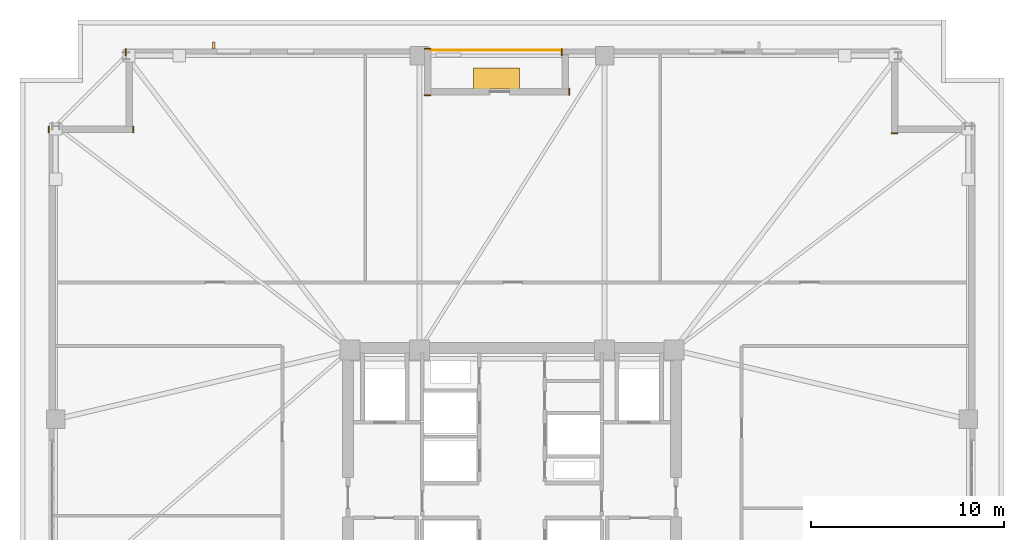
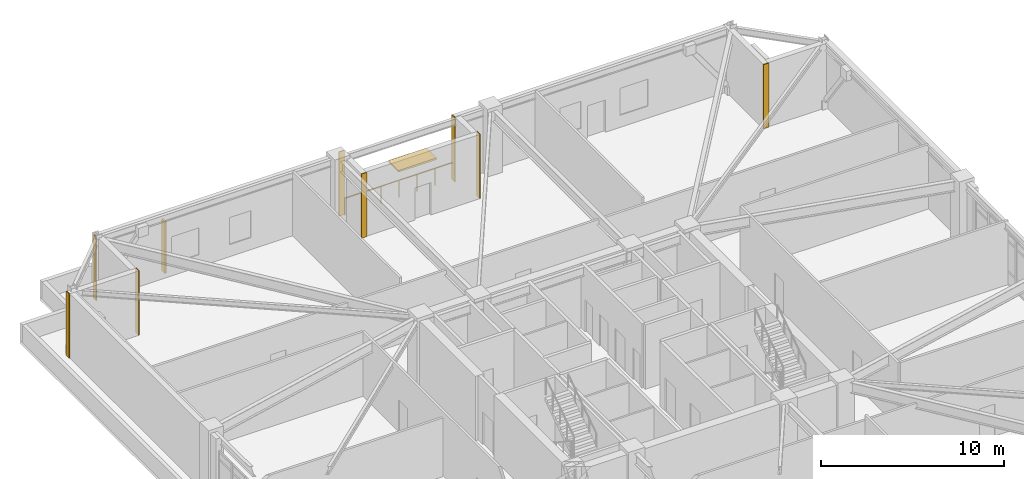
# One storey, part 12 of 13: 8 coverings, 2 shading devices, 1 railing.
"""IFC4 building model written with IfcOpenShell, lengths in metres."""

from ifc_helpers import new_model, si_unit, direction, frame, frame_2d, origin, origin_2d, place, context, subcontext, project, spatial, rectangle, circle, extrude, material, layer, layer_set, type_object, element, save


model = new_model("IFC4")

# Units and contexts
model_context = context("Model", 3, precision=1e-05, world=origin(), true_north=direction((0.0, 1.0)))
body_context = subcontext(model_context, "Body", "Model", "MODEL_VIEW")
ifc_project = project(units=[si_unit("LENGTHUNIT", "METRE"), si_unit("AREAUNIT", "SQUARE_METRE"), si_unit("VOLUMEUNIT", "CUBIC_METRE"), si_unit("PLANEANGLEUNIT", "RADIAN"), si_unit("MASSUNIT", "GRAM", prefix="KILO")], contexts=[model_context])

# Site, building, storey
site_placement = place(None, origin())
site = spatial("IfcSite", under=ifc_project, at=site_placement, CompositionType="ELEMENT")
building_placement = place(site_placement, origin())
building = spatial("IfcBuilding", under=site, at=building_placement, Name="Cairnveth Concourse Tower", CompositionType="ELEMENT")
storey_placement = place(building_placement, frame((0.0, 0.0, 101.5)))
storey = spatial("IfcBuildingStorey", under=building, at=storey_placement, Name="L27", CompositionType="ELEMENT", Elevation=101.5)

# Coverings
ifc_material_1 = material(Name="Dressed Melbourne Bluestone Cladding", Category="masonry")
ifc_layer = layer(ifc_material_1, 0.050048828125)
ifc_layer_set = layer_set([ifc_layer], Name="Dressed Melbourne Bluestone Cladding")
covering_type = type_object("IfcCoveringType", Name="DRESSED BLUESTONE PLINTH CLADDING 50", PredefinedType="CLADDING", material=ifc_layer_set)
for number, where, z_axis, x_axis, name in (
    (1, (54.580078125, 62.659912109375, 0.0), (0.0, 0.0, 1.0), (0.0, 1.0, 0.0), "Melbourne Bluestone Corner Quoin L27-371"),
    (2, (71.659912109375, 58.639892578125, 0.0), (0.0, 0.0, 1.0), (1.0, 0.0, 0.0), "Melbourne Bluestone Corner Quoin L27-373"),
    (3, (27.97998046875, 58.659912109375, 0.0), (0.0, 0.0, 1.0), (0.0, 1.0, 0.0), "Melbourne Bluestone Corner Quoin L27-381"),
    (4, (32.360107421875, 58.659912109375, 0.0), (0.0, 0.0, 1.0), (0.0, 1.0, 0.0), "Melbourne Bluestone Corner Quoin L27-382"),
    (5, (31.97998046875, 62.659912109375, 0.0), (0.0, 0.0, 1.0), (0.0, 1.0, 0.0), "Melbourne Bluestone Corner Quoin L27-383"),
    (6, (47.4599609375, 63.02001953125, 0.0), (0.0, 0.0, 1.0), (1.0, 0.0, 0.0), "Melbourne Bluestone Corner Quoin L27-384"),
    (7, (47.4599609375, 60.590087890625, 0.0), (0.0, 0.0, 1.0), (1.0, 0.0, 0.0), "Melbourne Bluestone Corner Quoin L27-385"),
):
    element("IfcCovering", number, at=place(storey_placement, frame(where, z_axis=z_axis, x_axis=x_axis)), inside=storey, type_object=covering_type, Name=name, PredefinedType="CLADDING", context=body_context, shape_type="SweptSolid", body=[
        extrude(rectangle(XDim=0.340087890625, YDim=0.050048828125, at=frame_2d((0.169921875, 0.0))), origin(), (0.0, 0.0, 1.0), 4.280029296875),
    ])
covering_placement = place(storey_placement, frame((54.9599609375, 60.610107421875, 0.0), z_axis=(0.0, 0.0, 1.0), x_axis=(0.0, 1.0, 0.0)))
element("IfcCovering", 8, at=covering_placement, inside=storey, type_object=covering_type, Name="Melbourne Bluestone Corner Quoin L27-386", PredefinedType="CLADDING", context=body_context, shape_type="SweptSolid", body=[
    extrude(rectangle(XDim=0.33984375, YDim=0.050048828125, at=frame_2d((0.169921875, 0.0))), origin(), (0.0, 0.0, 1.0), 4.280029296875),
])

# Shading devices
ifc_material_2 = material(Name="Architectural Bronze Anodised Aluminium 6063-T6", Category="aluminium")
shading_device_type_1 = type_object("IfcShadingDeviceType", Name="GOTHIC BRONZE VERTICAL LANCET FIN", PredefinedType="USERDEFINED", material=ifc_material_2)
shading_device_1_placement = place(storey_placement, frame((36.54541015625, 63.175048828125, 0.030029296875), z_axis=(0.0, 0.0, 1.0), x_axis=(1.0, 0.0, 0.0)))
element("IfcShadingDevice", 9, at=shading_device_1_placement, inside=storey, type_object=shading_device_type_1, Name="Gothic Bronze Vertical Fin L27-12-1", ObjectType="VERTICAL FIN", PredefinedType="USERDEFINED", context=body_context, shape_type="SweptSolid", body=[
    extrude(rectangle(XDim=0.1201171875, YDim=0.360107421875, at=origin_2d()), origin(), (0.0, 0.0, 1.0), 3.419921875),
])
shading_device_type_2 = type_object("IfcShadingDeviceType", Name="SPIRAL TERRACE SUNSHADE CANOPY", PredefinedType="USERDEFINED", material=ifc_material_2)
shading_device_2_placement = place(storey_placement, frame((51.199951171875, 61.469970703125, 3.300048828125), z_axis=(0.0, 0.0, 1.0), x_axis=(1.0, 0.0, 0.0)))
element("IfcShadingDevice", 10, at=shading_device_2_placement, inside=storey, type_object=shading_device_type_2, Name="Spiral Terrace Sunshade L27", ObjectType="TERRACE SUNSHADE", PredefinedType="USERDEFINED", context=body_context, shape_type="SweptSolid", body=[
    extrude(rectangle(XDim=2.39990234375, YDim=1.10009765625, at=origin_2d()), origin(), (0.0, 0.0, 1.0), 0.1201171875),
])

# Railing
railing_type = type_object("IfcRailingType", Name="TERRACE BRONZE BALUSTRADE 1150", PredefinedType="BALUSTRADE", material=ifc_material_2)
railing_placement = place(storey_placement, frame((47.800048828125, 62.93994140625, 0.0)))
element("IfcRailing", 11, at=railing_placement, inside=storey, type_object=railing_type, Name="Terrace Balustrade RL-L27-TERR", PredefinedType="BALUSTRADE", context=body_context, shape_type="SweptSolid", body=[
    extrude(circle(Radius=0.02490234375, at=origin_2d()), frame((0.0, 0.0, 1.125), z_axis=(1.0, 0.0, 0.0), x_axis=(0.0, 1.0, 0.0)), (0.0, 0.0, 1.0), 6.800048828125),
    extrude(circle(Radius=0.02099609375, at=origin_2d()), origin(), (0.0, 0.0, 1.0), 1.099853515625),
    extrude(circle(Radius=0.02099609375, at=origin_2d()), frame((1.13330078125, 0.0, 0.0)), (0.0, 0.0, 1.0), 1.099853515625),
    extrude(circle(Radius=0.02099609375, at=origin_2d()), frame((2.2666015625, 0.0, 0.0)), (0.0, 0.0, 1.0), 1.099853515625),
    extrude(circle(Radius=0.02099609375, at=origin_2d()), frame((3.39990234375, 0.0, 0.0)), (0.0, 0.0, 1.0), 1.099853515625),
    extrude(circle(Radius=0.02099609375, at=origin_2d()), frame((4.533447265625, 0.0, 0.0)), (0.0, 0.0, 1.0), 1.099853515625),
    extrude(circle(Radius=0.02099609375, at=origin_2d()), frame((5.666748046875, 0.0, 0.0)), (0.0, 0.0, 1.0), 1.099853515625),
    extrude(circle(Radius=0.02099609375, at=origin_2d()), frame((6.800048828125, 0.0, 0.0)), (0.0, 0.0, 1.0), 1.099853515625),
])

save(model, "model.ifc")
